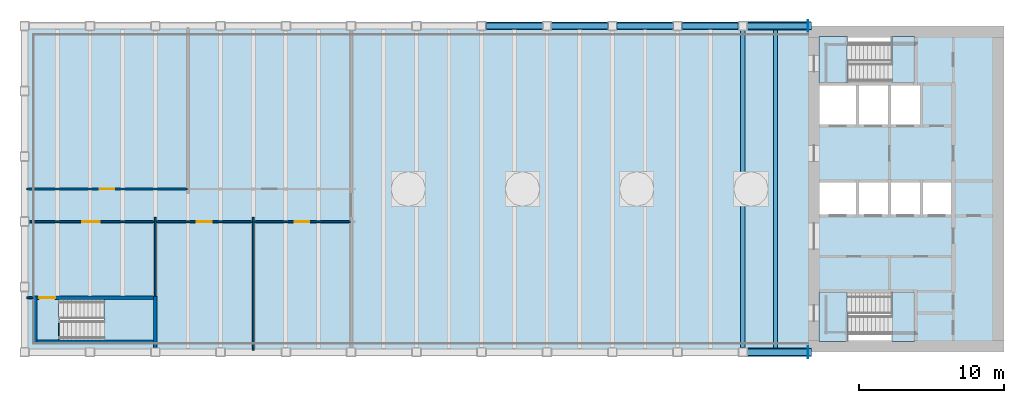
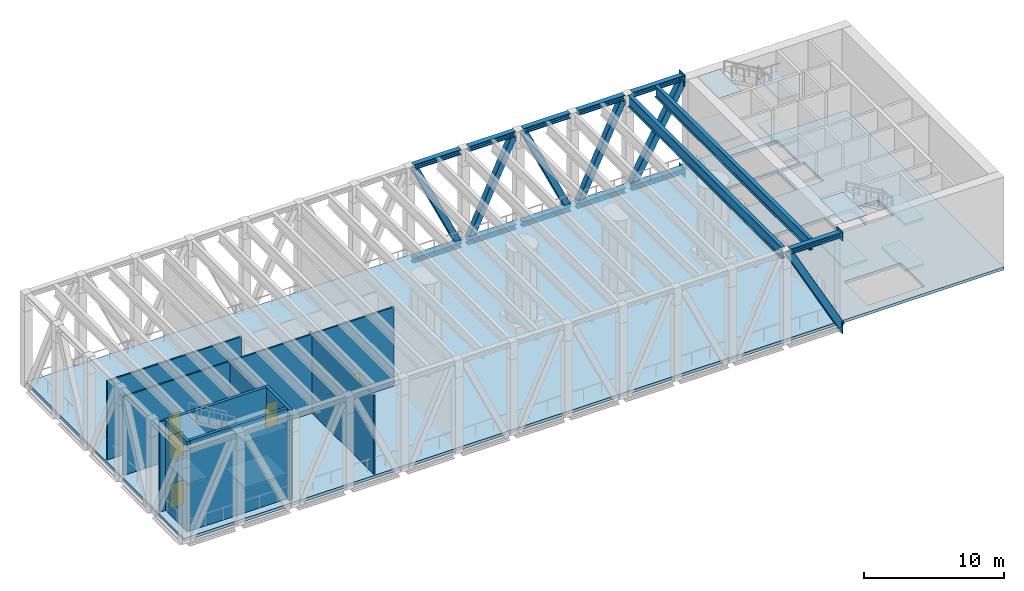
# One storey, part 2 of 11: 17 members, 13 slabs, 11 walls, 10 plates, 5 doors, 2 beams, 5 openings, 3 elements without a shape of their own.
"""IFC4 building model written with IfcOpenShell, lengths in metres."""

import ifcopenshell
import ifcopenshell.guid

model = None  # the IFC model being written
_history = None  # IfcOwnerHistory: only IFC2X3 demands one
_inside = {}  # id of a spatial element -> (the spatial element, [elements in it])
_under = {}  # id of a project, library or spatial element -> (it, [spatial elements below it])
_declared = {}  # id of a project -> (the project, [libraries it declares])
_typed = {}  # id of a type object -> (the type object, [elements of that type])
_made_of = {}  # id of a material, layer set ... -> (it, [elements and type objects made of it])


def new_model(schema):
    """Start an empty IFC model of exactly this schema.

    Asked for "IFC4X3", IfcOpenShell would pick the latest addendum, in which some entities
    have other attributes; the version numbers below select the first issue.
    IFC2X3 requires an IfcOwnerHistory on every rooted entity: one is made here for all.
    """
    global model, _history
    if schema == "IFC4X3":
        model = ifcopenshell.file(schema_version=(4, 3, 0, 0))
    else:
        model = ifcopenshell.file(schema=schema)
    _inside.clear()
    _under.clear()
    _declared.clear()
    _typed.clear()
    _made_of.clear()
    _history = None
    if model.schema == "IFC2X3":
        org = make("IfcOrganization", Name="unknown")
        user = make(
            "IfcPersonAndOrganization",
            ThePerson=make("IfcPerson", FamilyName="unknown"),
            TheOrganization=org,
        )
        app = make(
            "IfcApplication",
            ApplicationDeveloper=org,
            Version="unknown",
            ApplicationFullName="unknown",
            ApplicationIdentifier="unknown",
        )
        _history = make(
            "IfcOwnerHistory",
            OwningUser=user,
            OwningApplication=app,
            ChangeAction="ADDED",
            CreationDate=0,
        )
    return model


def make(cls, **values):
    """One entity of the class cls with the attributes given. An attribute that is None is left unset."""
    return model.create_entity(
        cls, **{name: value for name, value in values.items() if value is not None}
    )


def rooted(cls, **values):
    """An entity with a GlobalId (a new one), such as an element, a storey or a relation."""
    return make(cls, GlobalId=ifcopenshell.guid.new(), OwnerHistory=_history, **values)


def si_unit(unit_type, name, prefix=None):
    """IfcSIUnit, for example si_unit("LENGTHUNIT", "METRE", prefix="MILLI")."""
    return make("IfcSIUnit", UnitType=unit_type, Prefix=prefix, Name=name)


def assignment(units):
    """IfcUnitAssignment: the units of a project."""
    return None if units is None else make("IfcUnitAssignment", Units=units)


def point(xyz):
    """IfcCartesianPoint."""
    return None if xyz is None else make("IfcCartesianPoint", Coordinates=xyz)


def direction(xyz):
    """IfcDirection."""
    return None if xyz is None else make("IfcDirection", DirectionRatios=xyz)


def frame(location, z_axis=None, x_axis=None):
    """IfcAxis2Placement3D, a coordinate frame: its origin and axes. An axis left out is left unset."""
    return make(
        "IfcAxis2Placement3D",
        Location=point(location),
        Axis=direction(z_axis),
        RefDirection=direction(x_axis),
    )


def frame_2d(location, x_axis=None):
    """IfcAxis2Placement2D, a coordinate frame in the plane: its origin and x axis."""
    return make(
        "IfcAxis2Placement2D", Location=point(location), RefDirection=direction(x_axis)
    )


def origin():
    """The frame at (0, 0, 0) with its axes left unset."""
    return frame((0.0, 0.0, 0.0))


def origin_2d():
    """The frame at (0, 0) in the plane with its x axis left unset."""
    return frame_2d((0.0, 0.0))


def place(relative_to, where):
    """IfcLocalPlacement: puts the frame where relative to a parent placement (None: the world)."""
    return make(
        "IfcLocalPlacement", PlacementRelTo=relative_to, RelativePlacement=where
    )


def context(
    kind, dimensions, precision=None, world=None, true_north=None, identifier=None
):
    """IfcGeometricRepresentationContext, for example the 3D "Model" context."""
    return make(
        "IfcGeometricRepresentationContext",
        ContextIdentifier=identifier,
        ContextType=kind,
        CoordinateSpaceDimension=dimensions,
        Precision=precision,
        WorldCoordinateSystem=world,
        TrueNorth=true_north,
    )


def subcontext(parent, identifier, kind, view, scale=None):
    """IfcGeometricRepresentationSubContext, for example "Body" below "Model"."""
    return make(
        "IfcGeometricRepresentationSubContext",
        ContextIdentifier=identifier,
        ContextType=kind,
        ParentContext=parent,
        TargetScale=scale,
        TargetView=view,
    )


def project(units=None, contexts=None):
    """IfcProject with its units and contexts."""
    return rooted(
        "IfcProject",
        Name="project",
        RepresentationContexts=contexts,
        UnitsInContext=assignment(units),
    )


def spatial(cls, under=None, at=None, **own):
    """A site, building, storey or space (cls), placed at a placement, below another one or the project."""
    s = rooted(cls, ObjectPlacement=at, **own)
    if under is not None:
        _under.setdefault(under.id(), (under, []))[1].append(s)
    return s


def polyline(points):
    """IfcPolyline through the points."""
    return make("IfcPolyline", Points=[point(p) for p in points])


def profile(cls, at=None, kind="AREA", **sizes):
    """A parametric profile (cls). Its sizes go by their IFC names, for example OverallWidth=200.0."""
    return make(cls, ProfileType=kind, Position=at, **sizes)


def rectangle(**sizes):
    """IfcRectangleProfileDef."""
    return profile("IfcRectangleProfileDef", **sizes)


def hollow_rectangle(**sizes):
    """IfcRectangleHollowProfileDef."""
    return profile("IfcRectangleHollowProfileDef", **sizes)


def i_section(**sizes):
    """IfcIShapeProfileDef."""
    return profile("IfcIShapeProfileDef", **sizes)


def outline(outer, holes=None, kind="AREA"):
    """IfcArbitraryClosedProfileDef: a profile drawn as a closed curve; with holes, ...WithVoids."""
    if holes is None:
        return make("IfcArbitraryClosedProfileDef", ProfileType=kind, OuterCurve=outer)
    return make(
        "IfcArbitraryProfileDefWithVoids",
        ProfileType=kind,
        OuterCurve=outer,
        InnerCurves=holes,
    )


def extrude(swept, where, along, depth):
    """IfcExtrudedAreaSolid: the profile swept, set in the frame where, extruded along a direction by depth."""
    return make(
        "IfcExtrudedAreaSolid",
        SweptArea=swept,
        Position=where,
        ExtrudedDirection=direction(along),
        Depth=depth,
    )


def shape(context_of_items, identifier, shape_type, items):
    """IfcShapeRepresentation: the items that make up one representation, for example the "Body"."""
    return make(
        "IfcShapeRepresentation",
        ContextOfItems=context_of_items,
        RepresentationIdentifier=identifier,
        RepresentationType=shape_type,
        Items=items,
    )


def material(Name=None, Category=None):
    """IfcMaterial."""
    return make("IfcMaterial", Name=Name, Category=Category)


def layer(
    of_material, thickness, ventilated=None, Name=None, Category=None, Priority=None
):
    """IfcMaterialLayer: one layer of a wall or slab, of a material (None: an air gap)."""
    return make(
        "IfcMaterialLayer",
        Material=of_material,
        LayerThickness=thickness,
        IsVentilated=ventilated,
        Name=Name,
        Category=Category,
        Priority=Priority,
    )


def layer_set(layers, Name=None):
    """IfcMaterialLayerSet."""
    return make("IfcMaterialLayerSet", MaterialLayers=layers, LayerSetName=Name)


def material_profile(
    of_material, cross_section, Name=None, Category=None, Priority=None
):
    """IfcMaterialProfile: a cross section and its material."""
    return make(
        "IfcMaterialProfile",
        Name=Name,
        Material=of_material,
        Profile=cross_section,
        Priority=Priority,
        Category=Category,
    )


def profile_set(profiles, Name=None, composite=None):
    """IfcMaterialProfileSet."""
    return make(
        "IfcMaterialProfileSet",
        Name=Name,
        MaterialProfiles=profiles,
        CompositeProfile=composite,
    )


def made_of(thing, what):
    """Note that an element or type object is made of a material, layer set ...; save() writes the relation."""
    if what is not None:
        _made_of.setdefault(what.id(), (what, []))[1].append(thing)
    return thing


def type_object(cls, material=None, **own):
    """A type object (cls), such as IfcWallType, which elements share."""
    return made_of(rooted(cls, **own), material)


def element(
    cls,
    number,
    at=None,
    inside=None,
    cuts=None,
    type_object=None,
    material=None,
    context=None,
    identifier="Body",
    shape_type=None,
    held_by="IfcProductDefinitionShape",
    body=None,
    shapes=None,
    **own,
):
    """One element of the class cls, such as IfcWall. Its Tag is "e" and its number.

    at: its placement. inside: the storey or other place that contains it. cuts: it is an
    opening in that element (IfcRelVoidsElement). A single representation is given by context,
    identifier, shape_type and body (its items); several are given by shapes. held_by: the class
    of the entity that holds the representations. save() writes the other relations.
    """
    e = rooted(cls, Tag="e%d" % number, ObjectPlacement=at, **own)
    if body is not None:
        shapes = [shape(context, identifier, shape_type, body)]
    if shapes is not None:
        e.Representation = make(held_by, Representations=shapes)
    if inside is not None:
        _inside.setdefault(inside.id(), (inside, []))[1].append(e)
    if cuts is not None:
        rooted(
            "IfcRelVoidsElement", RelatingBuildingElement=cuts, RelatedOpeningElement=e
        )
    if type_object is not None:
        _typed.setdefault(type_object.id(), (type_object, []))[1].append(e)
    return made_of(e, material)


def fill(opening, filler):
    """IfcRelFillsElement: the door or window that sits in an opening."""
    return rooted(
        "IfcRelFillsElement",
        RelatingOpeningElement=opening,
        RelatedBuildingElement=filler,
    )


def aggregate(whole, parts):
    """IfcRelAggregates: a whole, such as a stair, and the parts it consists of."""
    return rooted("IfcRelAggregates", RelatingObject=whole, RelatedObjects=parts)


def save(model, path):
    """Write the relations noted so far, then the file.

    IfcRelAggregates (storeys below a building ...), IfcRelContainedInSpatialStructure (elements
    in a storey), IfcRelDefinesByType, IfcRelAssociatesMaterial and IfcRelDeclares: one each for
    every whole, place, type object, material and project.
    """
    for whole, parts in _under.values():
        aggregate(whole, parts)
    for where, things in _inside.values():
        rooted(
            "IfcRelContainedInSpatialStructure",
            RelatedElements=things,
            RelatingStructure=where,
        )
    for kind, things in _typed.values():
        rooted("IfcRelDefinesByType", RelatedObjects=things, RelatingType=kind)
    for what, things in _made_of.values():
        rooted("IfcRelAssociatesMaterial", RelatedObjects=things, RelatingMaterial=what)
    for by, libraries in _declared.values():
        rooted("IfcRelDeclares", RelatingContext=by, RelatedDefinitions=libraries)
    model.write(path)


model = new_model("IFC4")

# Units and contexts
model_context = context("Model", 3, precision=1e-05, world=origin(), true_north=direction((0.0, 1.0)))
body_context = subcontext(model_context, "Body", "Model", "MODEL_VIEW")
ifc_project = project(units=[si_unit("LENGTHUNIT", "METRE"), si_unit("AREAUNIT", "SQUARE_METRE"), si_unit("VOLUMEUNIT", "CUBIC_METRE"), si_unit("PLANEANGLEUNIT", "RADIAN"), si_unit("MASSUNIT", "GRAM", prefix="KILO")], contexts=[model_context])

# Site, building, storey
site_placement = place(None, origin())
site = spatial("IfcSite", under=ifc_project, at=site_placement, CompositionType="ELEMENT")
building_placement = place(site_placement, origin())
building = spatial("IfcBuilding", under=site, at=building_placement, Name="Sennacour Bend Tower", CompositionType="ELEMENT")
storey_placement = place(building_placement, frame((0.0, 0.0, 297.0)))
storey = spatial("IfcBuildingStorey", under=building, at=storey_placement, Name="L69", CompositionType="ELEMENT", Elevation=297.0)

# Members
ifc_material_1 = material(Name="Steel ASTM A992 Grade 50", Category="steel")
ifc_material_profile_1 = material_profile(ifc_material_1, i_section(OverallWidth=0.4189453125, OverallDepth=0.455078125, WebThickness=0.042236328125, FlangeThickness=0.067626953125, FilletRadius=0.01513671875, at=origin_2d()), Name="Steel ASTM A992 Grade 50", Category="steel")
ifc_profile_set_1 = profile_set([ifc_material_profile_1], Name="Steel ASTM A992 Grade 50")
member_type_1 = type_object("IfcMemberType", Name="Belt truss chord W360X551", PredefinedType="CHORD", material=ifc_profile_set_1)
for number, where, z_axis, x_axis, name in (
    (1, (31.75, 22.5, -0.4775390625), (1.0, 0.0, 0.0), (0.0, 1.0, 0.0), "Belt truss chord BC L69-013"),
    (2, (36.25, 22.5, -0.4775390625), (1.0, 0.0, 0.0), (0.0, 1.0, 0.0), "Belt truss chord BC L69-014"),
    (3, (40.75, 22.5, -0.4775390625), (1.0, 0.0, 0.0), (0.0, 1.0, 0.0), "Belt truss chord BC L69-015"),
    (4, (45.25, 22.5, -0.4775390625), (1.0, 0.0, 0.0), (0.0, 1.0, 0.0), "Belt truss chord BC L69-016"),
):
    element("IfcMember", number, at=place(storey_placement, frame(where, z_axis=z_axis, x_axis=x_axis)), inside=storey, type_object=member_type_1, Name=name, PredefinedType="CHORD", context=body_context, shape_type="SweptSolid", body=[
        extrude(i_section(OverallWidth=0.4189453125, OverallDepth=0.455078125, WebThickness=0.042236328125, FlangeThickness=0.067626953125, FilletRadius=0.01513671875, at=origin_2d()), origin(), (0.0, 0.0, 1.0), 4.0),
    ])
member_placement = place(storey_placement, frame((49.75, 22.5, -0.4775390625), z_axis=(1.0, 0.0, 0.0), x_axis=(0.0, 1.0, 0.0)))
element("IfcMember", 5, at=member_placement, inside=storey, type_object=member_type_1, Name="Belt truss chord BC L69-017", PredefinedType="CHORD", context=body_context, shape_type="SweptSolid", body=[
    extrude(i_section(OverallWidth=0.4189453125, OverallDepth=0.455078125, WebThickness=0.042236328125, FlangeThickness=0.067626953125, FilletRadius=0.01513671875, at=origin_2d()), origin(), (0.0, 0.0, 1.0), 4.25),
])
for number, where, z_axis, x_axis, name in (
    (6, (31.824951171875, 22.5, 7.62255859375), (1.0, 0.0, 0.0), (0.0, 1.0, 0.0), "Belt truss chord BC L69-013"),
    (7, (36.324951171875, 22.5, 7.62255859375), (1.0, 0.0, 0.0), (0.0, 1.0, 0.0), "Belt truss chord BC L69-014"),
    (8, (40.824951171875, 22.5, 7.62255859375), (1.0, 0.0, 0.0), (0.0, 1.0, 0.0), "Belt truss chord BC L69-015"),
    (9, (45.324951171875, 22.5, 7.62255859375), (1.0, 0.0, 0.0), (0.0, 1.0, 0.0), "Belt truss chord BC L69-016"),
):
    element("IfcMember", number, at=place(storey_placement, frame(where, z_axis=z_axis, x_axis=x_axis)), inside=storey, type_object=member_type_1, Name=name, PredefinedType="CHORD", context=body_context, shape_type="SweptSolid", body=[
        extrude(i_section(OverallWidth=0.4189453125, OverallDepth=0.455078125, WebThickness=0.042236328125, FlangeThickness=0.067626953125, FilletRadius=0.01513671875, at=origin_2d()), origin(), (0.0, 0.0, 1.0), 3.85009765625),
    ])
for number, where, z_axis, x_axis, name in (
    (10, (49.824951171875, 22.5, 7.62255859375), (1.0, 0.0, 0.0), (0.0, 1.0, 0.0), "Belt truss chord BC L69-017"),
    (11, (54.0, 0.0, 7.62255859375), (-1.0, 0.0, 0.0), (0.0, -1.0, 0.0), "Belt truss chord BC L69-018"),
):
    element("IfcMember", number, at=place(storey_placement, frame(where, z_axis=z_axis, x_axis=x_axis)), inside=storey, type_object=member_type_1, Name=name, PredefinedType="CHORD", context=body_context, shape_type="SweptSolid", body=[
        extrude(i_section(OverallWidth=0.4189453125, OverallDepth=0.455078125, WebThickness=0.042236328125, FlangeThickness=0.067626953125, FilletRadius=0.01513671875, at=origin_2d()), origin(), (0.0, 0.0, 1.0), 4.175048828125),
    ])
ifc_material_2 = material(Name="Steel ASTM A500 Grade C", Category="steel")
ifc_material_profile_2 = material_profile(ifc_material_2, hollow_rectangle(XDim=0.508056640625, YDim=0.508056640625, WallThickness=0.01904296875, InnerFilletRadius=0.01904296875, OuterFilletRadius=0.0380859375, at=origin_2d()), Name="Steel ASTM A500 Grade C", Category="steel")
ifc_profile_set_2 = profile_set([ifc_material_profile_2], Name="Steel ASTM A500 Grade C")
member_type_2 = type_object("IfcMemberType", Name="Belt truss diagonal 508", PredefinedType="BRACE", material=ifc_profile_set_2)
for number, where, z_axis, x_axis, name in (
    (12, (31.97509765625, 22.5, 7.39501953125), (0.421143644292, 0.0, -0.906993953052), (0.0, 1.0, 0.0), "Belt truss diagonal BD L69-013"),
    (13, (36.47509765625, 22.5, -0.25), (0.421143644292, 0.0, 0.906993953052), (0.0, 1.0, 0.0), "Belt truss diagonal BD L69-014"),
    (14, (40.97509765625, 22.5, 7.39501953125), (0.421143644292, 0.0, -0.906993953052), (0.0, 1.0, 0.0), "Belt truss diagonal BD L69-015"),
    (15, (45.47509765625, 22.5, -0.25), (0.421143644292, 0.0, 0.906993953052), (0.0, 1.0, 0.0), "Belt truss diagonal BD L69-016"),
):
    element("IfcMember", number, at=place(storey_placement, frame(where, z_axis=z_axis, x_axis=x_axis)), inside=storey, type_object=member_type_2, Name=name, PredefinedType="BRACE", context=body_context, shape_type="SweptSolid", body=[
        extrude(hollow_rectangle(XDim=0.508056640625, YDim=0.508056640625, WallThickness=0.01904296875, InnerFilletRadius=0.01904296875, OuterFilletRadius=0.0380859375, at=origin_2d()), origin(), (0.0, 0.0, 1.0), 8.428955078125),
    ])

# Beams
ifc_material_profile_3 = material_profile(ifc_material_1, i_section(OverallWidth=0.300048828125, OverallDepth=0.990966796875, WebThickness=0.0166015625, FlangeThickness=0.030517578125, FilletRadius=0.030029296875, at=origin_2d()), Name="Steel ASTM A992 Grade 50", Category="steel")
ifc_profile_set_3 = profile_set([ifc_material_profile_3], Name="Steel ASTM A992 Grade 50")
beam_type = type_object("IfcBeamType", Name="Floor beam W1000X272", PredefinedType="BEAM", material=ifc_profile_set_3)
beam_1_placement = place(storey_placement, frame((49.5, 0.324951171875, 7.3544921875), z_axis=(0.0, 1.0, 0.0), x_axis=(-1.0, 0.0, 0.0)))
element("IfcBeam", 16, at=beam_1_placement, inside=storey, type_object=beam_type, Name="Floor beam FBM3 L70-022", PredefinedType="BEAM", context=body_context, shape_type="SweptSolid", body=[
    extrude(i_section(OverallWidth=0.300048828125, OverallDepth=0.990966796875, WebThickness=0.0166015625, FlangeThickness=0.030517578125, FilletRadius=0.030029296875, at=origin_2d()), origin(), (0.0, 0.0, 1.0), 21.85009765625),
])
beam_2_placement = place(storey_placement, frame((51.75, 0.20947265625, 7.3544921875), z_axis=(0.0, 1.0, 0.0), x_axis=(-1.0, 0.0, 0.0)))
element("IfcBeam", 17, at=beam_2_placement, inside=storey, type_object=beam_type, Name="Floor beam FBM3 L70-023", PredefinedType="BEAM", context=body_context, shape_type="SweptSolid", body=[
    extrude(i_section(OverallWidth=0.300048828125, OverallDepth=0.990966796875, WebThickness=0.0166015625, FlangeThickness=0.030517578125, FilletRadius=0.030029296875, at=origin_2d()), origin(), (0.0, 0.0, 1.0), 22.0810546875),
])

# Members
ifc_material_profile_4 = material_profile(ifc_material_2, hollow_rectangle(XDim=0.558837890625, YDim=0.558837890625, WallThickness=0.01904296875, InnerFilletRadius=0.01904296875, OuterFilletRadius=0.0380859375, at=origin_2d()), Name="Steel ASTM A500 Grade C", Category="steel")
ifc_profile_set_4 = profile_set([ifc_material_profile_4], Name="Steel ASTM A500 Grade C")
member_type_3 = type_object("IfcMemberType", Name="Outrigger truss diagonal 559", PredefinedType="BRACE", material=ifc_profile_set_4)
for number, where, z_axis, x_axis, name in (
    (18, (49.824951171875, 22.5, -0.25), (0.479297830749, 0.0, 0.877652316945), (0.0, 1.0, 0.0), "Outrigger truss diagonal OD L69-001"),
    (19, (49.824951171875, 0.0, 7.39501953125), (0.479297830749, 0.0, -0.877652316945), (0.0, 1.0, 0.0), "Outrigger truss diagonal OD L69-002"),
):
    element("IfcMember", number, at=place(storey_placement, frame(where, z_axis=z_axis, x_axis=x_axis)), inside=storey, type_object=member_type_3, Name=name, PredefinedType="BRACE", context=body_context, shape_type="SweptSolid", body=[
        extrude(hollow_rectangle(XDim=0.558837890625, YDim=0.558837890625, WallThickness=0.01904296875, InnerFilletRadius=0.01904296875, OuterFilletRadius=0.0380859375, at=origin_2d()), origin(), (0.0, 0.0, 1.0), 8.710693359375),
    ])

# Plates
ifc_material_3 = material(Name="Steel ASTM A572 Grade 50", Category="steel")
ifc_layer_1 = layer(ifc_material_3, 0.0400390625, Name="Steel ASTM A572 Grade 50", Category="steel")
ifc_layer_set_1 = layer_set([ifc_layer_1], Name="Steel ASTM A572 Grade 50")
plate_type = type_object("IfcPlateType", Name="Cast-in plate 40", PredefinedType="USERDEFINED", material=ifc_layer_set_1)
for number, where, z_axis, x_axis, name in (
    (20, (54.0, 22.5, -0.87744140625), (0.0, 0.0, 1.0), (1.0, 0.0, 0.0), "Cast-in plate CP 40"),
    (21, (53.97998046875, 22.5, -0.87744140625), (0.0, 0.0, 1.0), (1.0, 0.0, 0.0), "Cast-in plate CP BC 40"),
    (22, (54.0, 0.0, -0.87744140625), (0.0, 0.0, 1.0), (1.0, 0.0, 0.0), "Cast-in plate CP 40"),
    (23, (53.97998046875, 0.0, -0.87744140625), (0.0, 0.0, 1.0), (1.0, 0.0, 0.0), "Cast-in plate CP BC 40"),
    (24, (54.0, 22.5, 7.22265625), (0.0, 0.0, 1.0), (1.0, 0.0, 0.0), "Cast-in plate CP 40"),
    (25, (53.97998046875, 22.5, 7.22265625), (0.0, 0.0, 1.0), (1.0, 0.0, 0.0), "Cast-in plate CP BC 40"),
    (26, (54.0, 0.0, 7.22265625), (0.0, 0.0, 1.0), (1.0, 0.0, 0.0), "Cast-in plate CP 40"),
    (27, (53.97998046875, 0.0, 7.22265625), (0.0, 0.0, 1.0), (1.0, 0.0, 0.0), "Cast-in plate CP BC 40"),
    (28, (53.97998046875, 22.5, 6.9951171875), (0.0, 0.0, 1.0), (1.0, 0.0, 0.0), "Cast-in plate CP OTD 40"),
    (29, (53.97998046875, 0.0, -0.64990234375), (0.0, 0.0, 1.0), (1.0, 0.0, 0.0), "Cast-in plate CP OTD 40"),
):
    element("IfcPlate", number, at=place(storey_placement, frame(where, z_axis=z_axis, x_axis=x_axis)), inside=storey, type_object=plate_type, Name=name, ObjectType="CAST-IN PLATE", PredefinedType="USERDEFINED", context=body_context, shape_type="SweptSolid", body=[
        extrude(rectangle(XDim=0.0400390625, YDim=0.800048828125, at=origin_2d()), origin(), (0.0, 0.0, 1.0), 0.800048828125),
    ])

# Slabs
ifc_material_4 = material(Name="Concrete C30/37", Category="concrete")
ifc_layer_2 = layer(ifc_material_4, 0.25, Name="Concrete C30/37", Category="concrete")
ifc_layer_set_2 = layer_set([ifc_layer_2], Name="Concrete C30/37")
slab_type_1 = type_object("IfcSlabType", Name="Floor slab 250", PredefinedType="FLOOR", material=ifc_layer_set_2)
slab_1_placement = place(storey_placement, frame((0.0, 0.0, -0.25)))
element("IfcSlab", 30, at=slab_1_placement, inside=storey, type_object=slab_type_1, Name="Floor slab L69-01", PredefinedType="FLOOR", context=body_context, shape_type="SweptSolid", body=[
    extrude(outline(polyline([(0.0, 22.5), (22.5, 22.5), (54.0, 22.5), (67.5, 22.5), (67.5, 0.0), (54.0, 0.0), (22.5, 0.0), (0.0, 0.0), (0.0, 22.5)]), holes=[polyline([(8.800048828125, 3.5), (2.429931640625, 3.5), (2.429931640625, 0.949951171875), (8.800048828125, 0.949951171875), (8.800048828125, 3.5)]), polyline([(61.39990234375, 4.125), (56.72998046875, 4.125), (56.72998046875, 0.75), (61.39990234375, 0.75), (61.39990234375, 4.125)]), polyline([(57.300048828125, 11.699951171875), (54.800048828125, 11.699951171875), (54.800048828125, 9.5), (57.300048828125, 9.5), (57.300048828125, 11.699951171875)]), polyline([(59.5, 9.5), (59.5, 11.699951171875), (57.5, 11.699951171875), (57.5, 9.5), (59.5, 9.5)]), polyline([(61.699951171875, 9.5), (61.699951171875, 11.699951171875), (59.699951171875, 11.699951171875), (59.699951171875, 9.5), (61.699951171875, 9.5)]), polyline([(63.89990234375, 11.699951171875), (61.89990234375, 11.699951171875), (61.89990234375, 9.5), (63.89990234375, 9.5), (63.89990234375, 11.699951171875)]), polyline([(57.300048828125, 18.39990234375), (54.800048828125, 18.39990234375), (54.800048828125, 15.699951171875), (57.300048828125, 15.699951171875), (57.300048828125, 18.39990234375)]), polyline([(59.5, 18.39990234375), (57.5, 18.39990234375), (57.5, 15.699951171875), (59.5, 15.699951171875), (59.5, 18.39990234375)]), polyline([(61.699951171875, 15.699951171875), (61.699951171875, 18.39990234375), (59.699951171875, 18.39990234375), (59.699951171875, 15.699951171875), (61.699951171875, 15.699951171875)]), polyline([(61.39990234375, 18.574951171875), (61.39990234375, 21.75), (56.72998046875, 21.75), (56.72998046875, 18.574951171875), (61.39990234375, 18.574951171875)])]), origin(), (0.0, 0.0, 1.0), 0.25),
])
ifc_material_5 = material(Name="Concrete C40/50", Category="concrete")
ifc_layer_3 = layer(ifc_material_5, 0.034912109375, Name="Concrete C40/50", Category="concrete")
ifc_layer_set_3 = layer_set([ifc_layer_3], Name="Concrete C40/50")
slab_type_2 = type_object("IfcSlabType", Name="Stair arrival nib 35", PredefinedType="FLOOR", material=ifc_layer_set_3)
slab_2_placement = place(storey_placement, frame((0.0, 0.0, 7.815185546875)))
element("IfcSlab", 31, at=slab_2_placement, inside=storey, type_object=slab_type_2, Name="L69 SA1 stair arrival nib", PredefinedType="FLOOR", context=body_context, shape_type="SweptSolid", body=[
    extrude(outline(polyline([(56.64208984375, 4.125), (54.75, 4.125), (54.75, 0.75), (56.64208984375, 0.75), (56.64208984375, 4.125)])), origin(), (0.0, 0.0, 1.0), 0.034912109375),
])
slab_3_placement = place(storey_placement, frame((0.0, 0.0, 7.815185546875)))
element("IfcSlab", 32, at=slab_3_placement, inside=storey, type_object=slab_type_2, Name="L69 SA2 stair arrival nib", PredefinedType="FLOOR", context=body_context, shape_type="SweptSolid", body=[
    extrude(outline(polyline([(56.64208984375, 21.75), (54.75, 21.75), (54.75, 18.574951171875), (56.64208984375, 18.574951171875), (56.64208984375, 21.75)])), origin(), (0.0, 0.0, 1.0), 0.034912109375),
])
slab_4_placement = place(storey_placement, frame((0.0, 0.0, 7.815185546875)))
element("IfcSlab", 33, at=slab_4_placement, inside=storey, type_object=slab_type_2, Name="L69 SK1 stair arrival nib", PredefinedType="FLOOR", context=body_context, shape_type="SweptSolid", body=[
    extrude(outline(polyline([(2.342041015625, 3.675048828125), (0.800048828125, 3.675048828125), (0.800048828125, 0.800048828125), (2.342041015625, 0.800048828125), (2.342041015625, 3.675048828125)])), origin(), (0.0, 0.0, 1.0), 0.034912109375),
])

# Stair, slabs
stair_type = type_object("IfcStairType", Name="ST-DOGLEG", PredefinedType="HALF_TURN_STAIR", material=ifc_material_5)
stair_1_placement = place(storey_placement, origin())
stair_1 = element("IfcStair", 34, at=stair_1_placement, inside=storey, type_object=stair_type, Name="L69 Exit stair A1", PredefinedType="HALF_TURN_STAIR")
ifc_layer_4 = layer(ifc_material_5, 0.199951171875, Name="Concrete C40/50", Category="concrete")
ifc_layer_set_4 = layer_set([ifc_layer_4], Name="Concrete C40/50")
slab_type_3 = type_object("IfcSlabType", Name="Stair landing 200", PredefinedType="LANDING", material=ifc_layer_set_4)
slab_5_placement = place(storey_placement, frame((0.0, 0.0, 1.800048828125)))
slab_5 = element("IfcSlab", 35, at=slab_5_placement, type_object=slab_type_3, Name="SA1 landing 1", PredefinedType="LANDING", context=body_context, shape_type="SweptSolid", body=[
    extrude(outline(polyline([(59.780029296875, 0.75), (61.324951171875, 0.75), (61.324951171875, 4.125), (59.780029296875, 4.125), (59.780029296875, 0.75)])), origin(), (0.0, 0.0, 1.0), 0.199951171875),
])
slab_6_placement = place(storey_placement, frame((0.0, 0.0, 3.800048828125)))
slab_6 = element("IfcSlab", 36, at=slab_6_placement, type_object=slab_type_3, Name="SA1 landing 2", PredefinedType="LANDING", context=body_context, shape_type="SweptSolid", body=[
    extrude(outline(polyline([(54.75, 0.75), (56.699951171875, 0.75), (56.699951171875, 4.125), (54.75, 4.125), (54.75, 0.75)])), origin(), (0.0, 0.0, 1.0), 0.199951171875),
])
slab_7_placement = place(storey_placement, frame((0.0, 0.0, 5.800048828125)))
slab_7 = element("IfcSlab", 37, at=slab_7_placement, type_object=slab_type_3, Name="SA1 landing 3", PredefinedType="LANDING", context=body_context, shape_type="SweptSolid", body=[
    extrude(outline(polyline([(59.780029296875, 0.75), (61.324951171875, 0.75), (61.324951171875, 4.125), (59.780029296875, 4.125), (59.780029296875, 0.75)])), origin(), (0.0, 0.0, 1.0), 0.199951171875),
])
aggregate(stair_1, [slab_5, slab_6, slab_7])

stair_2_placement = place(storey_placement, origin())
stair_2 = element("IfcStair", 38, at=stair_2_placement, inside=storey, type_object=stair_type, Name="L69 Exit stair A2", PredefinedType="HALF_TURN_STAIR")
slab_8_placement = place(storey_placement, frame((0.0, 0.0, 1.800048828125)))
slab_8 = element("IfcSlab", 39, at=slab_8_placement, type_object=slab_type_3, Name="SA2 landing 1", PredefinedType="LANDING", context=body_context, shape_type="SweptSolid", body=[
    extrude(outline(polyline([(59.780029296875, 18.574951171875), (61.324951171875, 18.574951171875), (61.324951171875, 21.75), (59.780029296875, 21.75), (59.780029296875, 18.574951171875)])), origin(), (0.0, 0.0, 1.0), 0.199951171875),
])
slab_9_placement = place(storey_placement, frame((0.0, 0.0, 3.800048828125)))
slab_9 = element("IfcSlab", 40, at=slab_9_placement, type_object=slab_type_3, Name="SA2 landing 2", PredefinedType="LANDING", context=body_context, shape_type="SweptSolid", body=[
    extrude(outline(polyline([(54.75, 18.574951171875), (56.699951171875, 18.574951171875), (56.699951171875, 21.75), (54.75, 21.75), (54.75, 18.574951171875)])), origin(), (0.0, 0.0, 1.0), 0.199951171875),
])
slab_10_placement = place(storey_placement, frame((0.0, 0.0, 5.800048828125)))
slab_10 = element("IfcSlab", 41, at=slab_10_placement, type_object=slab_type_3, Name="SA2 landing 3", PredefinedType="LANDING", context=body_context, shape_type="SweptSolid", body=[
    extrude(outline(polyline([(59.780029296875, 18.574951171875), (61.324951171875, 18.574951171875), (61.324951171875, 21.75), (59.780029296875, 21.75), (59.780029296875, 18.574951171875)])), origin(), (0.0, 0.0, 1.0), 0.199951171875),
])
aggregate(stair_2, [slab_8, slab_9, slab_10])

stair_3_placement = place(storey_placement, origin())
stair_3 = element("IfcStair", 42, at=stair_3_placement, inside=storey, type_object=stair_type, Name="L69 Exit stair K1", PredefinedType="HALF_TURN_STAIR")
slab_11_placement = place(storey_placement, frame((0.0, 0.0, 1.800048828125)))
slab_11 = element("IfcSlab", 43, at=slab_11_placement, type_object=slab_type_3, Name="SK1 landing 1", PredefinedType="LANDING", context=body_context, shape_type="SweptSolid", body=[
    extrude(outline(polyline([(5.47998046875, 0.800048828125), (8.925048828125, 0.800048828125), (8.925048828125, 3.675048828125), (5.47998046875, 3.675048828125), (5.47998046875, 0.800048828125)])), origin(), (0.0, 0.0, 1.0), 0.199951171875),
])
slab_12_placement = place(storey_placement, frame((0.0, 0.0, 3.800048828125)))
slab_12 = element("IfcSlab", 44, at=slab_12_placement, type_object=slab_type_3, Name="SK1 landing 2", PredefinedType="LANDING", context=body_context, shape_type="SweptSolid", body=[
    extrude(outline(polyline([(0.800048828125, 0.800048828125), (2.39990234375, 0.800048828125), (2.39990234375, 3.675048828125), (0.800048828125, 3.675048828125), (0.800048828125, 0.800048828125)])), origin(), (0.0, 0.0, 1.0), 0.199951171875),
])
slab_13_placement = place(storey_placement, frame((0.0, 0.0, 5.800048828125)))
slab_13 = element("IfcSlab", 45, at=slab_13_placement, type_object=slab_type_3, Name="SK1 landing 3", PredefinedType="LANDING", context=body_context, shape_type="SweptSolid", body=[
    extrude(outline(polyline([(5.47998046875, 0.800048828125), (8.925048828125, 0.800048828125), (8.925048828125, 3.675048828125), (5.47998046875, 3.675048828125), (5.47998046875, 0.800048828125)])), origin(), (0.0, 0.0, 1.0), 0.199951171875),
])
aggregate(stair_3, [slab_11, slab_12, slab_13])

# Walls
ifc_material_6 = material(Name="Plasterboard partition on steel studs", Category="steel")
ifc_layer_5 = layer(ifc_material_6, 0.1201171875, Name="Plasterboard partition on steel studs", Category="steel")
ifc_layer_set_5 = layer_set([ifc_layer_5], Name="Plasterboard partition on steel studs")
wall_type_1 = type_object("IfcWallType", Name="Partition 120", PredefinedType="PARTITIONING", material=ifc_layer_set_5)
wall_1_placement = place(storey_placement, frame((9.0, 3.875, 0.0), z_axis=(0.0, 0.0, 1.0), x_axis=(0.0, 1.0, 0.0)))
element("IfcWall", 46, at=wall_1_placement, inside=storey, type_object=wall_type_1, Name="P-L69-W005a", PredefinedType="PARTITIONING", context=body_context, shape_type="SweptSolid", body=[
    extrude(rectangle(XDim=5.425048828125, YDim=0.1201171875, at=frame_2d((2.71240234375, 0.0))), origin(), (0.0, 0.0, 1.0), 6.85888671875),
])
wall_2_placement = place(storey_placement, frame((15.75, 0.14990234375, 0.0), z_axis=(0.0, 0.0, 1.0), x_axis=(0.0, 1.0, 0.0)))
element("IfcWall", 47, at=wall_2_placement, inside=storey, type_object=wall_type_1, Name="P-L69-W007a", PredefinedType="PARTITIONING", context=body_context, shape_type="SweptSolid", body=[
    extrude(rectangle(XDim=9.150146484375, YDim=0.1201171875, at=frame_2d((4.5751953125, 0.0))), origin(), (0.0, 0.0, 1.0), 6.85888671875),
])
wall_3_placement = place(storey_placement, frame((0.14990234375, 3.75, 0.0), z_axis=(0.0, 0.0, 1.0), x_axis=(1.0, 0.0, 0.0)))
element("IfcWall", 48, at=wall_3_placement, inside=storey, type_object=wall_type_1, Name="P-L69-W025a", PredefinedType="PARTITIONING", context=body_context, shape_type="SweptSolid", body=[
    extrude(rectangle(XDim=0.4501953125, YDim=0.1201171875, at=frame_2d((0.22509765625, 0.0))), origin(), (0.0, 0.0, 1.0), 7.85009765625),
])

# Wall, opening, door
ifc_layer_6 = layer(ifc_material_6, 0.1201171875, Name="Plasterboard partition on steel studs", Category="steel")
ifc_layer_set_6 = layer_set([ifc_layer_6], Name="Plasterboard partition on steel studs")
wall_type_2 = type_object("IfcWallType", Name="Partition 120 EI 30", PredefinedType="PARTITIONING", material=ifc_layer_set_6)
wall_4_placement = place(storey_placement, frame((0.14990234375, 9.0, 0.0), z_axis=(0.0, 0.0, 1.0), x_axis=(1.0, 0.0, 0.0)))
wall_4 = element("IfcWall", 49, at=wall_4_placement, inside=storey, type_object=wall_type_2, Name="P-L69-W030aa", PredefinedType="PARTITIONING", context=body_context, shape_type="SweptSolid", body=[
    extrude(rectangle(XDim=8.7900390625, YDim=0.1201171875, at=frame_2d((4.39501953125, 0.0))), origin(), (0.0, 0.0, 1.0), 6.85888671875),
])
opening_1_placement = place(wall_4_placement, frame((3.80517578125, 0.0, 0.0)))
opening_1 = element("IfcOpeningElement", 50, at=opening_1_placement, cuts=wall_4, Name="Opening KD2", PredefinedType="OPENING", context=body_context, shape_type="SweptSolid", body=[
    extrude(rectangle(XDim=1.199951171875, YDim=2.10009765625, at=frame_2d((0.60009765625, 1.050048828125))), frame((0.0, 0.070068359375, 0.0), z_axis=(0.0, -1.0, 0.0), x_axis=(1.0, 0.0, 0.0)), (0.0, 0.0, 1.0), 0.14013671875),
])
ifc_material_7 = material(Name="Painted steel", Category="steel")
door_type_1 = type_object("IfcDoorType", Name="DR-CORRIDOR-1200", OperationType="NOTDEFINED", PredefinedType="DOOR", material=ifc_material_7)
door_1_placement = place(opening_1_placement, origin())
door_1 = element("IfcDoor", 51, at=door_1_placement, inside=storey, type_object=door_type_1, Name="Door", OperationType="SINGLE_SWING_LEFT", OverallHeight=2.10009765625, OverallWidth=1.199951171875, PredefinedType="DOOR", context=body_context, shape_type="SweptSolid", body=[
    extrude(rectangle(XDim=1.199951171875, YDim=2.10009765625, at=frame_2d((0.60009765625, 1.050048828125))), frame((0.0, 0.02490234375, 0.0), z_axis=(0.0, -1.0, 0.0), x_axis=(1.0, 0.0, 0.0)), (0.0, 0.0, 1.0), 0.050048828125),
])
fill(opening_1, door_1)

ifc_layer_7 = layer(ifc_material_6, 0.1201171875, Name="Plasterboard partition on steel studs", Category="steel")
ifc_layer_set_7 = layer_set([ifc_layer_7], Name="Plasterboard partition on steel studs")
wall_type_3 = type_object("IfcWallType", Name="Partition 120 EI 60", PredefinedType="PARTITIONING", material=ifc_layer_set_7)
wall_5_placement = place(storey_placement, frame((9.06005859375, 9.0, 0.0), z_axis=(0.0, 0.0, 1.0), x_axis=(1.0, 0.0, 0.0)))
wall_5 = element("IfcWall", 52, at=wall_5_placement, inside=storey, type_object=wall_type_3, Name="P-L69-W030ab", PredefinedType="PARTITIONING", context=body_context, shape_type="SweptSolid", body=[
    extrude(rectangle(XDim=6.6298828125, YDim=0.1201171875, at=frame_2d((3.31494140625, 0.0))), origin(), (0.0, 0.0, 1.0), 6.85888671875),
])
opening_2_placement = place(wall_5_placement, frame((2.81494140625, 0.0, 0.0)))
opening_2 = element("IfcOpeningElement", 53, at=opening_2_placement, cuts=wall_5, Name="Opening PD2", PredefinedType="OPENING", context=body_context, shape_type="SweptSolid", body=[
    extrude(rectangle(XDim=1.0, YDim=2.10009765625, at=frame_2d((0.5, 1.050048828125))), frame((0.0, 0.070068359375, 0.0), z_axis=(0.0, -1.0, 0.0), x_axis=(1.0, 0.0, 0.0)), (0.0, 0.0, 1.0), 0.14013671875),
])
door_type_2 = type_object("IfcDoorType", Name="DR-PLANT-1000", OperationType="NOTDEFINED", PredefinedType="DOOR", material=ifc_material_7)
door_2_placement = place(opening_2_placement, origin())
door_2 = element("IfcDoor", 54, at=door_2_placement, inside=storey, type_object=door_type_2, Name="Door", OperationType="SINGLE_SWING_LEFT", OverallHeight=2.10009765625, OverallWidth=1.0, PredefinedType="DOOR", context=body_context, shape_type="SweptSolid", body=[
    extrude(rectangle(XDim=1.0, YDim=2.10009765625, at=frame_2d((0.5, 1.050048828125))), frame((0.0, 0.02490234375, 0.0), z_axis=(0.0, -1.0, 0.0), x_axis=(1.0, 0.0, 0.0)), (0.0, 0.0, 1.0), 0.050048828125),
])
fill(opening_2, door_2)

wall_6_placement = place(storey_placement, frame((15.81005859375, 9.0, 0.0), z_axis=(0.0, 0.0, 1.0), x_axis=(1.0, 0.0, 0.0)))
wall_6 = element("IfcWall", 55, at=wall_6_placement, inside=storey, type_object=wall_type_3, Name="P-L69-W030ac", PredefinedType="PARTITIONING", context=body_context, shape_type="SweptSolid", body=[
    extrude(rectangle(XDim=6.6298828125, YDim=0.1201171875, at=frame_2d((3.31494140625, 0.0))), origin(), (0.0, 0.0, 1.0), 6.85888671875),
])
opening_3_placement = place(wall_6_placement, frame((2.81494140625, 0.0, 0.0)))
opening_3 = element("IfcOpeningElement", 56, at=opening_3_placement, cuts=wall_6, Name="Opening PD2", PredefinedType="OPENING", context=body_context, shape_type="SweptSolid", body=[
    extrude(rectangle(XDim=1.0, YDim=2.10009765625, at=frame_2d((0.5, 1.050048828125))), frame((0.0, 0.070068359375, 0.0), z_axis=(0.0, -1.0, 0.0), x_axis=(1.0, 0.0, 0.0)), (0.0, 0.0, 1.0), 0.14013671875),
])
door_3_placement = place(opening_3_placement, origin())
door_3 = element("IfcDoor", 57, at=door_3_placement, inside=storey, type_object=door_type_2, Name="Door", OperationType="SINGLE_SWING_LEFT", OverallHeight=2.10009765625, OverallWidth=1.0, PredefinedType="DOOR", context=body_context, shape_type="SweptSolid", body=[
    extrude(rectangle(XDim=1.0, YDim=2.10009765625, at=frame_2d((0.5, 1.050048828125))), frame((0.0, 0.02490234375, 0.0), z_axis=(0.0, -1.0, 0.0), x_axis=(1.0, 0.0, 0.0)), (0.0, 0.0, 1.0), 0.050048828125),
])
fill(opening_3, door_3)

wall_7_placement = place(storey_placement, frame((0.14990234375, 11.25, 0.0), z_axis=(0.0, 0.0, 1.0), x_axis=(1.0, 0.0, 0.0)))
wall_7 = element("IfcWall", 58, at=wall_7_placement, inside=storey, type_object=wall_type_3, Name="P-L69-W033aa", PredefinedType="PARTITIONING", context=body_context, shape_type="SweptSolid", body=[
    extrude(rectangle(XDim=11.0400390625, YDim=0.1201171875, at=frame_2d((5.52001953125, 0.0))), origin(), (0.0, 0.0, 1.0), 6.85888671875),
])
opening_4_placement = place(wall_7_placement, frame((5.030029296875, 0.0, 0.0)))
opening_4 = element("IfcOpeningElement", 59, at=opening_4_placement, cuts=wall_7, Name="Opening PD2", PredefinedType="OPENING", context=body_context, shape_type="SweptSolid", body=[
    extrude(rectangle(XDim=1.0, YDim=2.10009765625, at=frame_2d((0.5, 1.050048828125))), frame((0.0, 0.070068359375, 0.0), z_axis=(0.0, -1.0, 0.0), x_axis=(1.0, 0.0, 0.0)), (0.0, 0.0, 1.0), 0.14013671875),
])
door_4_placement = place(opening_4_placement, origin())
door_4 = element("IfcDoor", 60, at=door_4_placement, inside=storey, type_object=door_type_2, Name="Door", OperationType="SINGLE_SWING_RIGHT", OverallHeight=2.10009765625, OverallWidth=1.0, PredefinedType="DOOR", context=body_context, shape_type="SweptSolid", body=[
    extrude(rectangle(XDim=1.0, YDim=2.10009765625, at=frame_2d((0.5, 1.050048828125))), frame((0.0, 0.02490234375, 0.0), z_axis=(0.0, -1.0, 0.0), x_axis=(1.0, 0.0, 0.0)), (0.0, 0.0, 1.0), 0.050048828125),
])
fill(opening_4, door_4)

# Walls
ifc_material_8 = material(Name="Concrete C60/75", Category="concrete")
ifc_layer_8 = layer(ifc_material_8, 0.25, Name="Concrete C60/75", Category="concrete")
ifc_layer_set_8 = layer_set([ifc_layer_8], Name="Concrete C60/75")
wall_type_4 = type_object("IfcWallType", Name="Stair wall 250", PredefinedType="SHEAR", material=ifc_layer_set_8)
wall_8_placement = place(storey_placement, frame((0.72509765625, 0.60009765625, 0.0), z_axis=(0.0, 0.0, 1.0), x_axis=(0.0, 1.0, 0.0)))
element("IfcWall", 61, at=wall_8_placement, inside=storey, type_object=wall_type_4, Name="P-L69-W002", PredefinedType="SHEAR", context=body_context, shape_type="SweptSolid", body=[
    extrude(rectangle(XDim=3.27490234375, YDim=0.25, at=frame_2d((1.637451171875, 0.0))), origin(), (0.0, 0.0, 1.0), 7.85009765625),
])
wall_9_placement = place(storey_placement, frame((9.0, 0.324951171875, 0.0), z_axis=(0.0, 0.0, 1.0), x_axis=(0.0, 1.0, 0.0)))
element("IfcWall", 62, at=wall_9_placement, inside=storey, type_object=wall_type_4, Name="P-L69-W004", PredefinedType="SHEAR", context=body_context, shape_type="SweptSolid", body=[
    extrude(rectangle(XDim=3.550048828125, YDim=0.25, at=frame_2d((1.77490234375, 0.0))), origin(), (0.0, 0.0, 1.0), 7.85009765625),
])
wall_10_placement = place(storey_placement, frame((0.85009765625, 0.72509765625, 0.0), z_axis=(0.0, 0.0, 1.0), x_axis=(1.0, 0.0, 0.0)))
element("IfcWall", 63, at=wall_10_placement, inside=storey, type_object=wall_type_4, Name="P-L69-W023", PredefinedType="SHEAR", context=body_context, shape_type="SweptSolid", body=[
    extrude(rectangle(XDim=8.02490234375, YDim=0.25, at=frame_2d((4.012451171875, 0.0))), origin(), (0.0, 0.0, 1.0), 7.85009765625),
])

# Wall, opening, door
wall_11_placement = place(storey_placement, frame((0.85009765625, 3.75, 0.0), z_axis=(0.0, 0.0, 1.0), x_axis=(1.0, 0.0, 0.0)))
wall_11 = element("IfcWall", 64, at=wall_11_placement, inside=storey, type_object=wall_type_4, Name="P-L69-W026", PredefinedType="SHEAR", context=body_context, shape_type="SweptSolid", body=[
    extrude(rectangle(XDim=8.02490234375, YDim=0.25, at=frame_2d((4.012451171875, 0.0))), origin(), (0.0, 0.0, 1.0), 7.85009765625),
])
opening_5_placement = place(wall_11_placement, frame((0.14990234375, 0.0, 0.0)))
opening_5 = element("IfcOpeningElement", 65, at=opening_5_placement, cuts=wall_11, Name="Opening SD", PredefinedType="OPENING", context=body_context, shape_type="SweptSolid", body=[
    extrude(rectangle(XDim=1.10009765625, YDim=2.10009765625, at=frame_2d((0.550048828125, 1.050048828125))), frame((0.0, 0.135009765625, 0.0), z_axis=(0.0, -1.0, 0.0), x_axis=(1.0, 0.0, 0.0)), (0.0, 0.0, 1.0), 0.27001953125),
])
door_type_3 = type_object("IfcDoorType", Name="DR-STAIR-1100", OperationType="NOTDEFINED", PredefinedType="DOOR", material=ifc_material_7)
door_5_placement = place(opening_5_placement, origin())
door_5 = element("IfcDoor", 66, at=door_5_placement, inside=storey, type_object=door_type_3, Name="Door", OperationType="SINGLE_SWING_LEFT", OverallHeight=2.10009765625, OverallWidth=1.10009765625, PredefinedType="DOOR", context=body_context, shape_type="SweptSolid", body=[
    extrude(rectangle(XDim=1.10009765625, YDim=2.10009765625, at=frame_2d((0.550048828125, 1.050048828125))), frame((0.0, 0.02490234375, 0.0), z_axis=(0.0, -1.0, 0.0), x_axis=(1.0, 0.0, 0.0)), (0.0, 0.0, 1.0), 0.050048828125),
])
fill(opening_5, door_5)

save(model, "model.ifc")
